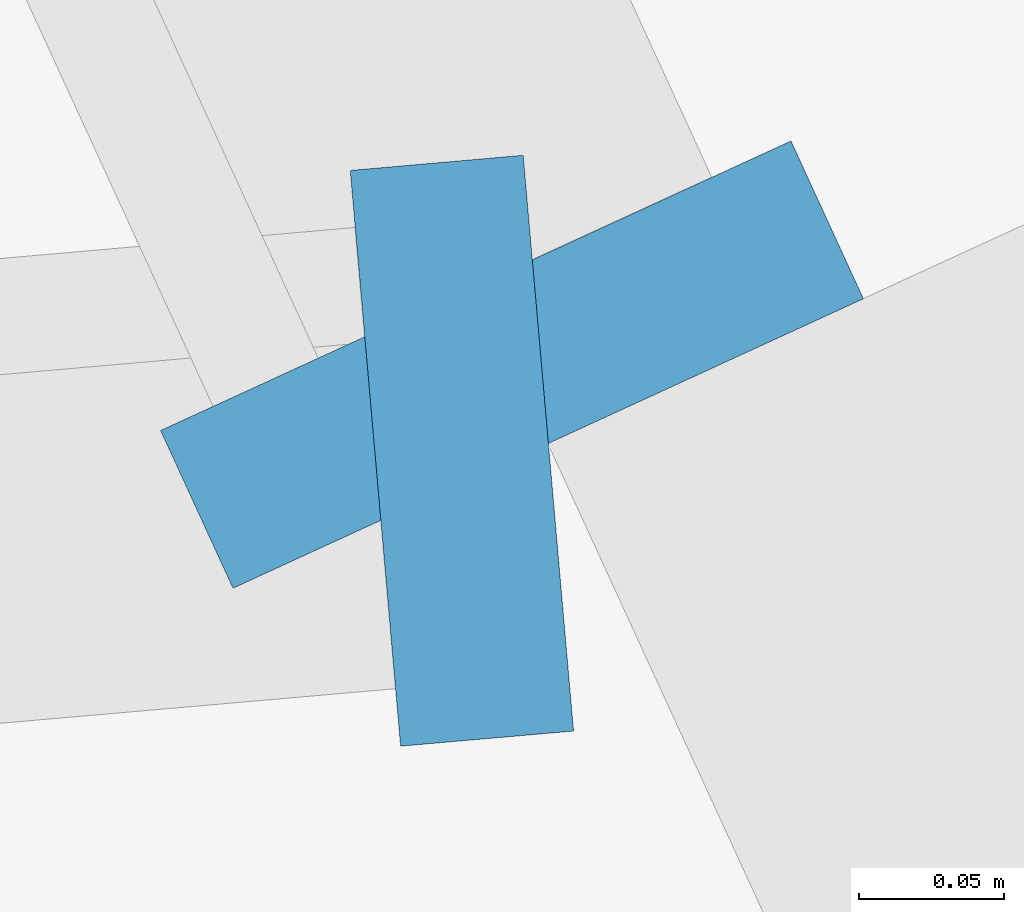
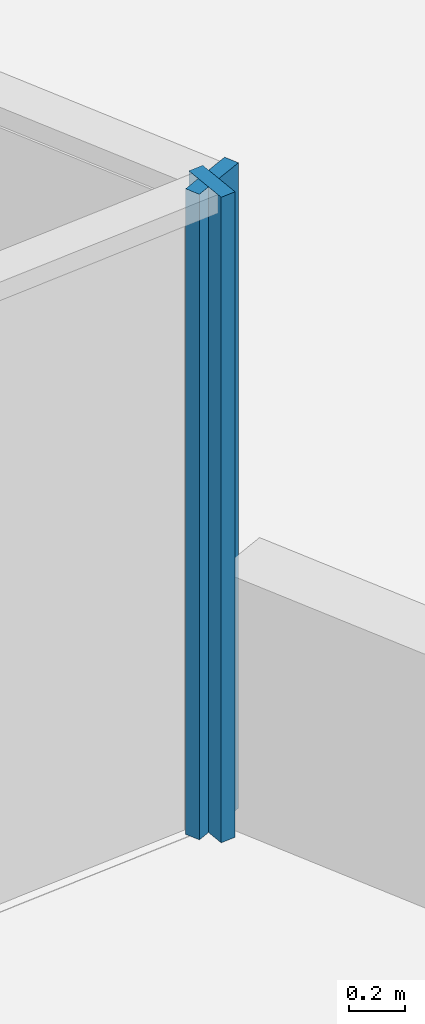
# One storey, part 9 of 17: 2 members, 2 elements without a shape of their own.
"""IFC4 building model written with IfcOpenShell, lengths in metres."""

import ifcopenshell
import ifcopenshell.guid

model = None  # the IFC model being written
_history = None  # IfcOwnerHistory: only IFC2X3 demands one
_inside = {}  # id of a spatial element -> (the spatial element, [elements in it])
_under = {}  # id of a project, library or spatial element -> (it, [spatial elements below it])
_declared = {}  # id of a project -> (the project, [libraries it declares])
_typed = {}  # id of a type object -> (the type object, [elements of that type])
_made_of = {}  # id of a material, layer set ... -> (it, [elements and type objects made of it])


def new_model(schema):
    """Start an empty IFC model of exactly this schema.

    Asked for "IFC4X3", IfcOpenShell would pick the latest addendum, in which some entities
    have other attributes; the version numbers below select the first issue.
    IFC2X3 requires an IfcOwnerHistory on every rooted entity: one is made here for all.
    """
    global model, _history
    if schema == "IFC4X3":
        model = ifcopenshell.file(schema_version=(4, 3, 0, 0))
    else:
        model = ifcopenshell.file(schema=schema)
    _inside.clear()
    _under.clear()
    _declared.clear()
    _typed.clear()
    _made_of.clear()
    _history = None
    if model.schema == "IFC2X3":
        org = make("IfcOrganization", Name="unknown")
        user = make(
            "IfcPersonAndOrganization",
            ThePerson=make("IfcPerson", FamilyName="unknown"),
            TheOrganization=org,
        )
        app = make(
            "IfcApplication",
            ApplicationDeveloper=org,
            Version="unknown",
            ApplicationFullName="unknown",
            ApplicationIdentifier="unknown",
        )
        _history = make(
            "IfcOwnerHistory",
            OwningUser=user,
            OwningApplication=app,
            ChangeAction="ADDED",
            CreationDate=0,
        )
    return model


def make(cls, **values):
    """One entity of the class cls with the attributes given. An attribute that is None is left unset."""
    return model.create_entity(
        cls, **{name: value for name, value in values.items() if value is not None}
    )


def rooted(cls, **values):
    """An entity with a GlobalId (a new one), such as an element, a storey or a relation."""
    return make(cls, GlobalId=ifcopenshell.guid.new(), OwnerHistory=_history, **values)


def si_unit(unit_type, name, prefix=None):
    """IfcSIUnit, for example si_unit("LENGTHUNIT", "METRE", prefix="MILLI")."""
    return make("IfcSIUnit", UnitType=unit_type, Prefix=prefix, Name=name)


def assignment(units):
    """IfcUnitAssignment: the units of a project."""
    return None if units is None else make("IfcUnitAssignment", Units=units)


def point(xyz):
    """IfcCartesianPoint."""
    return None if xyz is None else make("IfcCartesianPoint", Coordinates=xyz)


def direction(xyz):
    """IfcDirection."""
    return None if xyz is None else make("IfcDirection", DirectionRatios=xyz)


def frame(location, z_axis=None, x_axis=None):
    """IfcAxis2Placement3D, a coordinate frame: its origin and axes. An axis left out is left unset."""
    return make(
        "IfcAxis2Placement3D",
        Location=point(location),
        Axis=direction(z_axis),
        RefDirection=direction(x_axis),
    )


def frame_2d(location, x_axis=None):
    """IfcAxis2Placement2D, a coordinate frame in the plane: its origin and x axis."""
    return make(
        "IfcAxis2Placement2D", Location=point(location), RefDirection=direction(x_axis)
    )


def origin():
    """The frame at (0, 0, 0) with its axes left unset."""
    return frame((0.0, 0.0, 0.0))


def origin_2d():
    """The frame at (0, 0) in the plane with its x axis left unset."""
    return frame_2d((0.0, 0.0))


def place(relative_to, where):
    """IfcLocalPlacement: puts the frame where relative to a parent placement (None: the world)."""
    return make(
        "IfcLocalPlacement", PlacementRelTo=relative_to, RelativePlacement=where
    )


def context(
    kind, dimensions, precision=None, world=None, true_north=None, identifier=None
):
    """IfcGeometricRepresentationContext, for example the 3D "Model" context."""
    return make(
        "IfcGeometricRepresentationContext",
        ContextIdentifier=identifier,
        ContextType=kind,
        CoordinateSpaceDimension=dimensions,
        Precision=precision,
        WorldCoordinateSystem=world,
        TrueNorth=true_north,
    )


def subcontext(parent, identifier, kind, view, scale=None):
    """IfcGeometricRepresentationSubContext, for example "Body" below "Model"."""
    return make(
        "IfcGeometricRepresentationSubContext",
        ContextIdentifier=identifier,
        ContextType=kind,
        ParentContext=parent,
        TargetScale=scale,
        TargetView=view,
    )


def project(units=None, contexts=None):
    """IfcProject with its units and contexts."""
    return rooted(
        "IfcProject",
        Name="project",
        RepresentationContexts=contexts,
        UnitsInContext=assignment(units),
    )


def spatial(cls, under=None, at=None, **own):
    """A site, building, storey or space (cls), placed at a placement, below another one or the project."""
    s = rooted(cls, ObjectPlacement=at, **own)
    if under is not None:
        _under.setdefault(under.id(), (under, []))[1].append(s)
    return s


def profile(cls, at=None, kind="AREA", **sizes):
    """A parametric profile (cls). Its sizes go by their IFC names, for example OverallWidth=200.0."""
    return make(cls, ProfileType=kind, Position=at, **sizes)


def rectangle(**sizes):
    """IfcRectangleProfileDef."""
    return profile("IfcRectangleProfileDef", **sizes)


def extrude(swept, where, along, depth):
    """IfcExtrudedAreaSolid: the profile swept, set in the frame where, extruded along a direction by depth."""
    return make(
        "IfcExtrudedAreaSolid",
        SweptArea=swept,
        Position=where,
        ExtrudedDirection=direction(along),
        Depth=depth,
    )


def shape(context_of_items, identifier, shape_type, items):
    """IfcShapeRepresentation: the items that make up one representation, for example the "Body"."""
    return make(
        "IfcShapeRepresentation",
        ContextOfItems=context_of_items,
        RepresentationIdentifier=identifier,
        RepresentationType=shape_type,
        Items=items,
    )


def material(Name=None, Category=None):
    """IfcMaterial."""
    return make("IfcMaterial", Name=Name, Category=Category)


def material_profile(
    of_material, cross_section, Name=None, Category=None, Priority=None
):
    """IfcMaterialProfile: a cross section and its material."""
    return make(
        "IfcMaterialProfile",
        Name=Name,
        Material=of_material,
        Profile=cross_section,
        Priority=Priority,
        Category=Category,
    )


def profile_set(profiles, Name=None, composite=None):
    """IfcMaterialProfileSet."""
    return make(
        "IfcMaterialProfileSet",
        Name=Name,
        MaterialProfiles=profiles,
        CompositeProfile=composite,
    )


def made_of(thing, what):
    """Note that an element or type object is made of a material, layer set ...; save() writes the relation."""
    if what is not None:
        _made_of.setdefault(what.id(), (what, []))[1].append(thing)
    return thing


def type_object(cls, material=None, **own):
    """A type object (cls), such as IfcWallType, which elements share."""
    return made_of(rooted(cls, **own), material)


def element(
    cls,
    number,
    at=None,
    inside=None,
    cuts=None,
    type_object=None,
    material=None,
    context=None,
    identifier="Body",
    shape_type=None,
    held_by="IfcProductDefinitionShape",
    body=None,
    shapes=None,
    **own,
):
    """One element of the class cls, such as IfcWall. Its Tag is "e" and its number.

    at: its placement. inside: the storey or other place that contains it. cuts: it is an
    opening in that element (IfcRelVoidsElement). A single representation is given by context,
    identifier, shape_type and body (its items); several are given by shapes. held_by: the class
    of the entity that holds the representations. save() writes the other relations.
    """
    e = rooted(cls, Tag="e%d" % number, ObjectPlacement=at, **own)
    if body is not None:
        shapes = [shape(context, identifier, shape_type, body)]
    if shapes is not None:
        e.Representation = make(held_by, Representations=shapes)
    if inside is not None:
        _inside.setdefault(inside.id(), (inside, []))[1].append(e)
    if cuts is not None:
        rooted(
            "IfcRelVoidsElement", RelatingBuildingElement=cuts, RelatedOpeningElement=e
        )
    if type_object is not None:
        _typed.setdefault(type_object.id(), (type_object, []))[1].append(e)
    return made_of(e, material)


def aggregate(whole, parts):
    """IfcRelAggregates: a whole, such as a stair, and the parts it consists of."""
    return rooted("IfcRelAggregates", RelatingObject=whole, RelatedObjects=parts)


def save(model, path):
    """Write the relations noted so far, then the file.

    IfcRelAggregates (storeys below a building ...), IfcRelContainedInSpatialStructure (elements
    in a storey), IfcRelDefinesByType, IfcRelAssociatesMaterial and IfcRelDeclares: one each for
    every whole, place, type object, material and project.
    """
    for whole, parts in _under.values():
        aggregate(whole, parts)
    for where, things in _inside.values():
        rooted(
            "IfcRelContainedInSpatialStructure",
            RelatedElements=things,
            RelatingStructure=where,
        )
    for kind, things in _typed.values():
        rooted("IfcRelDefinesByType", RelatedObjects=things, RelatingType=kind)
    for what, things in _made_of.values():
        rooted("IfcRelAssociatesMaterial", RelatedObjects=things, RelatingMaterial=what)
    for by, libraries in _declared.values():
        rooted("IfcRelDeclares", RelatingContext=by, RelatedDefinitions=libraries)
    model.write(path)


model = new_model("IFC4")

# Units and contexts
model_context = context("Model", 3, precision=1e-05, world=origin(), true_north=direction((0.0, 1.0)))
body_context = subcontext(model_context, "Body", "Model", "MODEL_VIEW")
ifc_project = project(units=[si_unit("LENGTHUNIT", "METRE"), si_unit("AREAUNIT", "SQUARE_METRE"), si_unit("VOLUMEUNIT", "CUBIC_METRE"), si_unit("PLANEANGLEUNIT", "RADIAN"), si_unit("MASSUNIT", "GRAM", prefix="KILO")], contexts=[model_context])

# Site, building, storey
site_placement = place(None, origin())
site = spatial("IfcSite", under=ifc_project, at=site_placement, CompositionType="ELEMENT")
building_placement = place(site_placement, origin())
building = spatial("IfcBuilding", under=site, at=building_placement, Name="Wharfspan Tower", CompositionType="ELEMENT")
storey_placement = place(building_placement, frame((0.0, 0.0, 261.100098)))
storey = spatial("IfcBuildingStorey", under=building, at=storey_placement, Name="L66", CompositionType="ELEMENT", Elevation=261.100098)

# Curtain wall, member
ifc_material = material(Name="Aluminium 6063-T6", Category="aluminium")
curtain_wall_type_1 = type_object("IfcCurtainWallType", Name="CURTAIN WALL FACETED FRONT", PredefinedType="NOTDEFINED", material=ifc_material)
curtain_wall_1_placement = place(storey_placement, origin())
curtain_wall_1 = element("IfcCurtainWall", 1, at=curtain_wall_1_placement, inside=storey, type_object=curtain_wall_type_1, Name="Crown curtain wall S2", PredefinedType="NOTDEFINED")
ifc_material_profile_1 = material_profile(ifc_material, rectangle(XDim=0.199951, YDim=0.060059, at=origin_2d()))
ifc_profile_set_1 = profile_set([ifc_material_profile_1], Name="Aluminium 6063-T6")
member_type_1 = type_object("IfcMemberType", Name="MULLION FACETED FRONT 60x200", PredefinedType="MULLION", material=ifc_profile_set_1)
member_1_placement = place(storey_placement, frame((77.970215, 8.797363, 0.0), z_axis=(0.0, 0.0, 1.0), x_axis=(-0.087156, 0.996198, 0.0)))
member_1 = element("IfcMember", 2, at=member_1_placement, type_object=member_type_1, Name="Crown curtain wall S2 mullion 6", PredefinedType="MULLION", context=body_context, shape_type="SweptSolid", body=[
    extrude(rectangle(XDim=0.199951, YDim=0.060059, at=origin_2d()), origin(), (0.0, 0.0, 1.0), 2.799805),
])
aggregate(curtain_wall_1, [member_1])

curtain_wall_type_2 = type_object("IfcCurtainWallType", Name="CURTAIN WALL PROW AND END", PredefinedType="NOTDEFINED", material=ifc_material)
curtain_wall_2_placement = place(storey_placement, origin())
curtain_wall_2 = element("IfcCurtainWall", 3, at=curtain_wall_2_placement, inside=storey, type_object=curtain_wall_type_2, Name="Crown curtain wall E", PredefinedType="NOTDEFINED")
ifc_material_profile_2 = material_profile(ifc_material, rectangle(XDim=0.23999, YDim=0.060059, at=origin_2d()))
ifc_profile_set_2 = profile_set([ifc_material_profile_2], Name="Aluminium 6063-T6")
member_type_2 = type_object("IfcMemberType", Name="MULLION PROW AND END 60x240", PredefinedType="MULLION", material=ifc_profile_set_2)
member_2_placement = place(storey_placement, frame((77.987549, 8.827148, 0.0), z_axis=(0.0, 0.0, 1.0), x_axis=(-0.908769, -0.417292, 0.0)))
member_2 = element("IfcMember", 4, at=member_2_placement, type_object=member_type_2, Name="Crown curtain wall E mullion 1", PredefinedType="MULLION", context=body_context, shape_type="SweptSolid", body=[
    extrude(rectangle(XDim=0.23999, YDim=0.060059, at=origin_2d()), origin(), (0.0, 0.0, 1.0), 2.799805),
])
aggregate(curtain_wall_2, [member_2])

save(model, "model.ifc")
